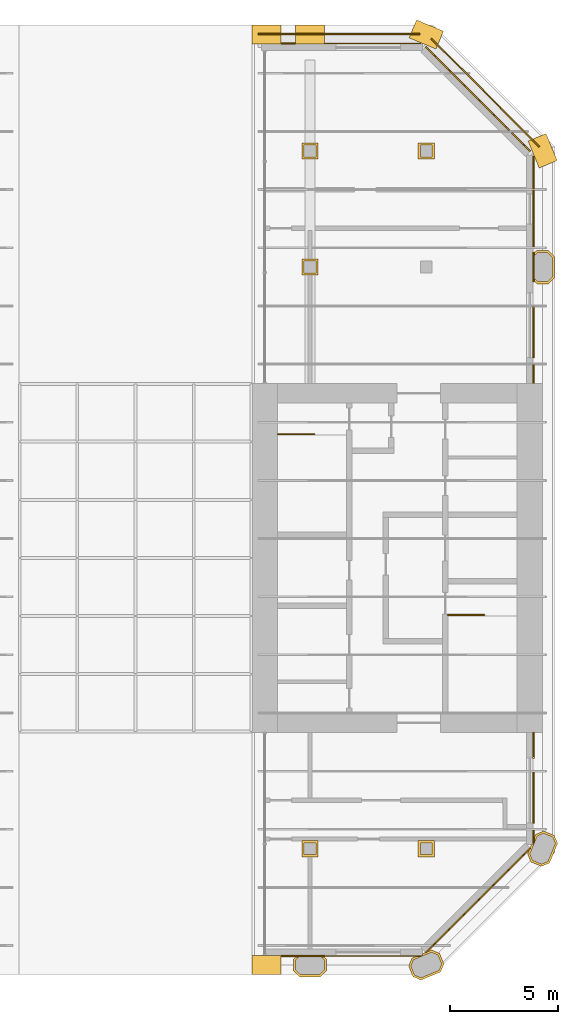
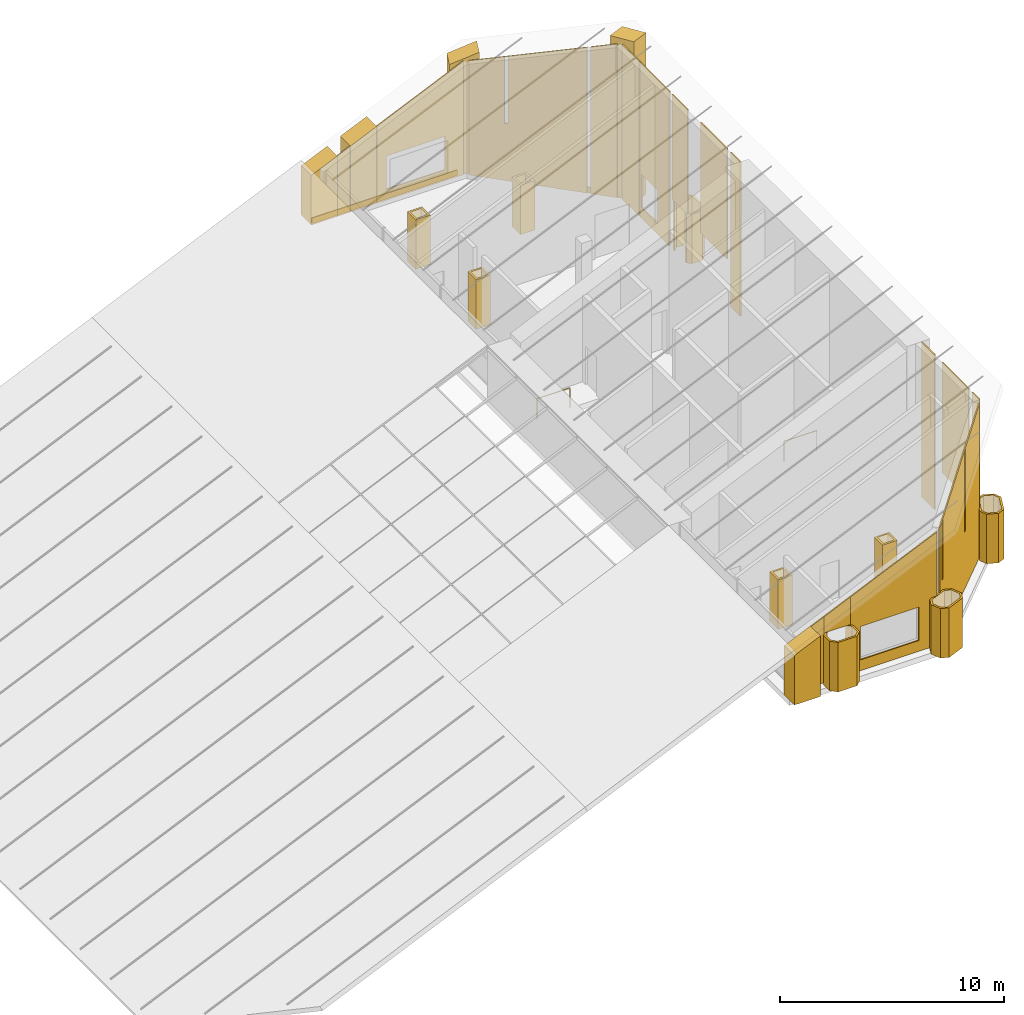
# One storey, part 10 of 10: 32 coverings, 2 railings.
"""IFC4 building model written with IfcOpenShell, lengths in metres."""

from ifc_helpers import new_model, si_unit, direction, frame, frame_2d, origin, origin_2d, place, context, subcontext, project, spatial, polyline, rectangle, circle, outline, extrude, material, layer, layer_set, type_object, element, save


model = new_model("IFC4")

# Units and contexts
model_context = context("Model", 3, precision=1e-05, world=origin(), true_north=direction((0.0, 1.0)))
body_context = subcontext(model_context, "Body", "Model", "MODEL_VIEW")
ifc_project = project(units=[si_unit("LENGTHUNIT", "METRE"), si_unit("AREAUNIT", "SQUARE_METRE"), si_unit("VOLUMEUNIT", "CUBIC_METRE"), si_unit("PLANEANGLEUNIT", "RADIAN"), si_unit("MASSUNIT", "GRAM", prefix="KILO")], contexts=[model_context])

# Site, building, storey
site_placement = place(None, origin())
site = spatial("IfcSite", under=ifc_project, at=site_placement, CompositionType="ELEMENT")
building_placement = place(site_placement, origin())
building = spatial("IfcBuilding", under=site, at=building_placement, Name="Tabaq Tower and Sports Hall", CompositionType="ELEMENT")
storey_placement = place(building_placement, frame((0.0, 0.0, 335.199951171875)))
storey = spatial("IfcBuildingStorey", under=building, at=storey_placement, Name="L83", CompositionType="ELEMENT", Elevation=335.199951171875)

# Coverings
ifc_material_1 = material(Name="Precast concrete C60/75", Category="concrete")
ifc_layer_1 = layer(ifc_material_1, 0.10009765625)
ifc_layer_set_1 = layer_set([ifc_layer_1], Name="Column cladding 100")
covering_type_1 = type_object("IfcCoveringType", Name="Column cladding 100", PredefinedType="CLADDING", material=ifc_layer_set_1)
covering_1_placement = place(storey_placement, origin())
element("IfcCovering", 1, at=covering_1_placement, inside=storey, type_object=covering_type_1, Name="Column cladding L83 PC-7B-CR", PredefinedType="CLADDING", context=body_context, shape_type="SweptSolid", body=[
    extrude(outline(polyline([(31.625244140625, 5.666259765625), (31.80859375, 5.849609375), (31.94921875, 5.849609375), (31.724609375, 5.625244140625), (31.724609375, 5.1748046875), (31.949951171875, 4.94970703125), (32.85009765625, 4.94970703125), (33.0751953125, 5.1748046875), (33.0751953125, 5.625244140625), (32.850830078125, 5.849609375), (32.9912109375, 5.849609375), (33.1748046875, 5.666259765625), (33.1748046875, 5.1337890625), (32.891357421875, 4.850341796875), (31.90869140625, 4.850341796875), (31.625244140625, 5.1337890625), (31.625244140625, 5.666259765625)])), origin(), (0.0, 0.0, 1.0), 2.699951171875),
])
covering_2_placement = place(storey_placement, origin())
element("IfcCovering", 2, at=covering_2_placement, inside=storey, type_object=covering_type_1, Name="Column cladding L83 CC-7C-CR", PredefinedType="CLADDING", context=body_context, shape_type="SweptSolid", body=[
    extrude(outline(polyline([(32.025390625, 11.1748046875), (32.774658203125, 11.1748046875), (32.774658203125, 10.42529296875), (32.025390625, 10.42529296875), (32.025390625, 11.1748046875)]), holes=[polyline([(32.67529296875, 10.524658203125), (32.67529296875, 11.0751953125), (32.124755859375, 11.0751953125), (32.124755859375, 10.524658203125), (32.67529296875, 10.524658203125)])]), origin(), (0.0, 0.0, 1.0), 2.699951171875),
])
covering_3_placement = place(storey_placement, origin())
element("IfcCovering", 3, at=covering_3_placement, inside=storey, type_object=covering_type_1, Name="Column cladding L83 CC-7H-CR", PredefinedType="CLADDING", context=body_context, shape_type="SweptSolid", body=[
    extrude(outline(polyline([(32.025390625, 38.1748046875), (32.774658203125, 38.1748046875), (32.774658203125, 37.42529296875), (32.025390625, 37.42529296875), (32.025390625, 38.1748046875)]), holes=[polyline([(32.67529296875, 37.524658203125), (32.67529296875, 38.0751953125), (32.124755859375, 38.0751953125), (32.124755859375, 37.524658203125), (32.67529296875, 37.524658203125)])]), origin(), (0.0, 0.0, 1.0), 2.699951171875),
])
covering_4_placement = place(storey_placement, origin())
element("IfcCovering", 4, at=covering_4_placement, inside=storey, type_object=covering_type_1, Name="Column cladding L83 CC-7I-CR", PredefinedType="CLADDING", context=body_context, shape_type="SweptSolid", body=[
    extrude(outline(polyline([(32.025390625, 43.57470703125), (32.774658203125, 43.57470703125), (32.774658203125, 42.8251953125), (32.025390625, 42.8251953125), (32.025390625, 43.57470703125)]), holes=[polyline([(32.67529296875, 42.9248046875), (32.67529296875, 43.475341796875), (32.124755859375, 43.475341796875), (32.124755859375, 42.9248046875), (32.67529296875, 42.9248046875)])]), origin(), (0.0, 0.0, 1.0), 2.699951171875),
])
covering_5_placement = place(storey_placement, origin())
element("IfcCovering", 5, at=covering_5_placement, inside=storey, type_object=covering_type_1, Name="Column cladding L83 PC-8B-CR", PredefinedType="CLADDING", context=body_context, shape_type="SweptSolid", body=[
    extrude(outline(polyline([(36.982421875, 5.349609375), (37.1357421875, 5.7197265625), (37.304443359375, 5.789794921875), (37.55712890625, 5.789794921875), (37.55712890625, 5.849609375), (37.614013671875, 5.849609375), (37.614013671875, 5.91796875), (37.767578125, 5.9814453125), (37.799072265625, 5.9501953125), (37.875, 6.026123046875), (38.04345703125, 6.095947265625), (38.413818359375, 5.9423828125), (38.61767578125, 5.450439453125), (38.46435546875, 5.080078125), (37.556396484375, 4.7041015625), (37.186279296875, 4.857421875), (36.982421875, 5.349609375)]), holes=[polyline([(38.510009765625, 5.450439453125), (38.337646484375, 5.866455078125), (38.04345703125, 5.98828125), (37.2119140625, 5.643798828125), (37.08984375, 5.349609375), (37.26220703125, 4.93359375), (37.556396484375, 4.811767578125), (38.38818359375, 5.15625), (38.510009765625, 5.450439453125)])]), origin(), (0.0, 0.0, 1.0), 2.699951171875),
])
covering_6_placement = place(storey_placement, origin())
element("IfcCovering", 6, at=covering_6_placement, inside=storey, type_object=covering_type_1, Name="Column cladding L83 CC-8C-CR", PredefinedType="CLADDING", context=body_context, shape_type="SweptSolid", body=[
    extrude(outline(polyline([(37.42529296875, 11.1748046875), (38.1748046875, 11.1748046875), (38.1748046875, 10.42529296875), (37.42529296875, 10.42529296875), (37.42529296875, 11.1748046875)]), holes=[polyline([(38.0751953125, 10.524658203125), (38.0751953125, 11.0751953125), (37.524658203125, 11.0751953125), (37.524658203125, 10.524658203125), (38.0751953125, 10.524658203125)])]), origin(), (0.0, 0.0, 1.0), 2.699951171875),
])
covering_7_placement = place(storey_placement, origin())
element("IfcCovering", 7, at=covering_7_placement, inside=storey, type_object=covering_type_1, Name="Column cladding L83 CC-8I-CR", PredefinedType="CLADDING", context=body_context, shape_type="SweptSolid", body=[
    extrude(outline(polyline([(37.42529296875, 43.57470703125), (38.1748046875, 43.57470703125), (38.1748046875, 42.8251953125), (37.42529296875, 42.8251953125), (37.42529296875, 43.57470703125)]), holes=[polyline([(38.0751953125, 42.9248046875), (38.0751953125, 43.475341796875), (37.524658203125, 43.475341796875), (37.524658203125, 42.9248046875), (38.0751953125, 42.9248046875)])]), origin(), (0.0, 0.0, 1.0), 2.699951171875),
])
covering_8_placement = place(storey_placement, origin())
element("IfcCovering", 8, at=covering_8_placement, inside=storey, type_object=covering_type_1, Name="Column cladding L83 PC-9C-CR", PredefinedType="CLADDING", context=body_context, shape_type="SweptSolid", body=[
    extrude(outline(polyline([(42.657470703125, 10.186279296875), (42.504150390625, 10.556396484375), (42.573974609375, 10.72509765625), (42.64990234375, 10.801025390625), (42.618408203125, 10.83251953125), (42.68212890625, 10.986083984375), (42.750244140625, 10.986083984375), (42.750244140625, 11.04296875), (42.810302734375, 11.04296875), (42.810302734375, 11.295654296875), (42.880126953125, 11.46435546875), (43.25048828125, 11.61767578125), (43.742431640625, 11.413818359375), (43.895751953125, 11.04345703125), (43.519775390625, 10.1357421875), (43.149658203125, 9.982421875), (42.657470703125, 10.186279296875)]), holes=[polyline([(43.66650390625, 11.337646484375), (43.25048828125, 11.510009765625), (42.956298828125, 11.38818359375), (42.61181640625, 10.556396484375), (42.733642578125, 10.26220703125), (43.149658203125, 10.08984375), (43.44384765625, 10.2119140625), (43.788330078125, 11.04345703125), (43.66650390625, 11.337646484375)])]), origin(), (0.0, 0.0, 1.0), 2.699951171875),
])
covering_9_placement = place(storey_placement, origin())
element("IfcCovering", 9, at=covering_9_placement, inside=storey, type_object=covering_type_1, Name="Column cladding L83 PC-9H-CR", PredefinedType="CLADDING", context=body_context, shape_type="SweptSolid", body=[
    extrude(outline(polyline([(42.93359375, 37.025390625), (42.750244140625, 37.208740234375), (42.750244140625, 37.349365234375), (42.974853515625, 37.124755859375), (43.425048828125, 37.124755859375), (43.650390625, 37.349853515625), (43.650390625, 38.250244140625), (43.425048828125, 38.475341796875), (42.974853515625, 38.475341796875), (42.750244140625, 38.250732421875), (42.750244140625, 38.391357421875), (42.93359375, 38.57470703125), (43.46630859375, 38.57470703125), (43.749755859375, 38.291259765625), (43.749755859375, 37.30859375), (43.46630859375, 37.025390625), (42.93359375, 37.025390625)])), origin(), (0.0, 0.0, 1.0), 2.699951171875),
])
ifc_material_2 = material(Name="Precast concrete C60/75", Category="concrete")
ifc_layer_2 = layer(ifc_material_2, 0.06005859375)
ifc_layer_set_2 = layer_set([ifc_layer_2], Name="Edge beam cladding 60")
covering_type_2 = type_object("IfcCoveringType", Name="Edge beam cladding 60", PredefinedType="CLADDING", material=ifc_layer_set_2)
covering_10_placement = place(storey_placement, frame((37.50146484375, 48.6298828125, -0.300048828125), z_axis=(0.0, 0.0, 1.0), x_axis=(-1.0, 0.0, 0.0)))
element("IfcCovering", 10, at=covering_10_placement, inside=storey, type_object=covering_type_2, Name="Edge beam cladding L83 1", PredefinedType="CLADDING", context=body_context, shape_type="SweptSolid", body=[
    extrude(rectangle(XDim=7.511474609375, YDim=0.06005859375, at=frame_2d((3.755859375, 0.0))), origin(), (0.0, 0.0, 1.0), 0.300048828125),
])
covering_11_placement = place(storey_placement, frame((43.04443359375, 43.39794921875, -0.300048828125), z_axis=(0.0, 0.0, 1.0), x_axis=(-0.707106781187, 0.707106781187, 0.0)))
element("IfcCovering", 11, at=covering_11_placement, inside=storey, type_object=covering_type_2, Name="Edge beam cladding L83 2", PredefinedType="CLADDING", context=body_context, shape_type="SweptSolid", body=[
    extrude(rectangle(XDim=7.08837890625, YDim=0.06005859375, at=frame_2d((3.544189453125, 0.0))), origin(), (0.0, 0.0, 1.0), 0.300048828125),
])
ifc_material_3 = material(Name="White precast concrete C60/75", Category="concrete")
covering_type_3 = type_object("IfcCoveringType", Name="Pier cladding hung 1350x900", PredefinedType="CLADDING", material=ifc_material_3)
covering_12_placement = place(storey_placement, frame((33.074951171875, 48.60009765625, 0.0), z_axis=(0.0, 0.0, 1.0), x_axis=(-1.0, 0.0, 0.0)))
element("IfcCovering", 12, at=covering_12_placement, inside=storey, type_object=covering_type_3, Name="Hung pier cladding 6/9", PredefinedType="CLADDING", context=body_context, shape_type="SweptSolid", body=[
    extrude(outline(polyline([(0.0, 0.0), (1.349853515625, 0.0), (1.35009765625, 3.60009765625), (0.89990234375, 3.800048828125), (0.449951171875, 4.0), (0.0, 4.199951171875), (0.0, 0.0)])), frame((0.0, 0.449951171875, 0.0), z_axis=(0.0, -1.0, 0.0), x_axis=(1.0, 0.0, 0.0)), (0.0, 0.0, 1.0), 0.89990234375),
])
covering_13_placement = place(storey_placement, frame((38.423583984375, 48.341796875, 0.0), z_axis=(0.0, 0.0, 1.0), x_axis=(-0.923893411637, 0.382649923473, 0.0)))
element("IfcCovering", 13, at=covering_13_placement, inside=storey, type_object=covering_type_3, Name="Hung pier cladding 7/9", PredefinedType="CLADDING", context=body_context, shape_type="SweptSolid", body=[
    extrude(outline(polyline([(0.0, 0.0), (1.35009765625, 0.0), (1.35009765625, 6.02294921875), (0.89990234375, 6.207763671875), (0.449951171875, 6.392333984375), (0.0, 6.5771484375), (0.0, 0.0)])), frame((0.0, 0.449951171875, 0.0), z_axis=(0.0, -1.0, 0.0), x_axis=(1.0, 0.0, 0.0)), (0.0, 0.0, 1.0), 0.89990234375),
])
covering_14_placement = place(storey_placement, frame((43.458251953125, 42.576416015625, 0.0), z_axis=(0.0, 0.0, 1.0), x_axis=(-0.382649923473, 0.923893411637, 0.0)))
element("IfcCovering", 14, at=covering_14_placement, inside=storey, type_object=covering_type_3, Name="Hung pier cladding 8/8", PredefinedType="CLADDING", context=body_context, shape_type="SweptSolid", body=[
    extrude(outline(polyline([(0.0, 0.0), (1.35009765625, 0.0), (1.35009765625, 8.585205078125), (0.89990234375, 8.661865234375), (0.449951171875, 8.73828125), (0.0, 8.81494140625), (0.0, 0.0)])), frame((0.0, 0.449951171875, 0.0), z_axis=(0.0, -1.0, 0.0), x_axis=(1.0, 0.0, 0.0)), (0.0, 0.0, 1.0), 0.89990234375),
])
for number, where, z_axis, x_axis, name in (
    (15, (29.699951171875, 5.39990234375, 0.0), (0.0, 0.0, 1.0), (1.0, 0.0, 0.0), "Riser corner cladding S"),
    (16, (29.699951171875, 48.60009765625, 0.0), (0.0, 0.0, 1.0), (1.0, 0.0, 0.0), "Riser corner cladding N"),
):
    element("IfcCovering", number, at=place(storey_placement, frame(where, z_axis=z_axis, x_axis=x_axis)), inside=storey, type_object=covering_type_3, Name=name, PredefinedType="CLADDING", context=body_context, shape_type="SweptSolid", body=[
        extrude(outline(polyline([(0.0, 0.0), (1.35009765625, 0.0), (1.35009765625, 3.300048828125), (0.89990234375, 3.10009765625), (0.449951171875, 2.900146484375), (0.0, 2.699951171875), (0.0, 0.0)])), frame((0.0, 0.449951171875, 0.0), z_axis=(0.0, -1.0, 0.0), x_axis=(1.0, 0.0, 0.0)), (0.0, 0.0, 1.0), 0.89990234375),
    ])

# Railings
ifc_material_4 = material(Name="Stainless steel", Category="steel")
railing_type = type_object("IfcRailingType", Name="Stair guard", PredefinedType="GUARDRAIL", material=ifc_material_4)
railing_1_placement = place(storey_placement, frame((38.800048828125, 21.64990234375, 0.0)))
element("IfcRailing", 17, at=railing_1_placement, inside=storey, type_object=railing_type, Name="L83 ST3 top well guard 1", PredefinedType="GUARDRAIL", context=body_context, shape_type="SweptSolid", body=[
    extrude(circle(Radius=0.02392578125, at=origin_2d()), frame((0.0, 0.0, 1.076171875), z_axis=(1.0, 0.0, 0.0), x_axis=(0.0, 1.0, 0.0)), (0.0, 0.0, 1.0), 1.699951171875),
    extrude(circle(Radius=0.02099609375, at=origin_2d()), origin(), (0.0, 0.0, 1.0), 1.052001953125),
    extrude(circle(Radius=0.02099609375, at=origin_2d()), frame((1.699951171875, 0.0, 0.0)), (0.0, 0.0, 1.0), 1.052001953125),
])
railing_2_placement = place(storey_placement, frame((30.89990234375, 30.050048828125, 0.0)))
element("IfcRailing", 18, at=railing_2_placement, inside=storey, type_object=railing_type, Name="L83 ST4 top well guard 1", PredefinedType="GUARDRAIL", context=body_context, shape_type="SweptSolid", body=[
    extrude(circle(Radius=0.02392578125, at=origin_2d()), frame((0.0, 0.0, 1.076171875), z_axis=(1.0, 0.0, 0.0), x_axis=(0.0, 1.0, 0.0)), (0.0, 0.0, 1.0), 1.7001953125),
    extrude(circle(Radius=0.02099609375, at=origin_2d()), origin(), (0.0, 0.0, 1.0), 1.052001953125),
    extrude(circle(Radius=0.02099609375, at=origin_2d()), frame((1.7001953125, 0.0, 0.0)), (0.0, 0.0, 1.0), 1.052001953125),
])

# Coverings
ifc_material_5 = material(Name="Precast concrete C60/75", Category="concrete")
ifc_layer_3 = layer(ifc_material_5, 0.06005859375)
ifc_layer_set_3 = layer_set([ifc_layer_3], Name="White precast cladding panel 60 C60/75")
covering_type_4 = type_object("IfcCoveringType", Name="White precast cladding panel 60 C60/75", PredefinedType="CLADDING", material=ifc_layer_set_3)
covering_15_placement = place(storey_placement, frame((31.06005859375, 5.820068359375, 0.0), z_axis=(0.0, 0.0, 1.0), x_axis=(1.0, 0.0, 0.0)))
element("IfcCovering", 19, at=covering_15_placement, inside=storey, type_object=covering_type_4, Name="White precast cladding panel L83 wall00", PredefinedType="CLADDING", context=body_context, shape_type="SweptSolid", body=[
    extrude(outline(polyline([(0.0, 0.0), (0.655029296875, 0.0), (0.655029296875, 3.595703125), (0.365234375, 3.466796875), (0.0, 3.304443359375), (0.0, 0.0)])), frame((0.0, 0.030029296875, 0.0), z_axis=(0.0, -1.0, 0.0), x_axis=(1.0, 0.0, 0.0)), (0.0, 0.0, 1.0), 0.06005859375),
])
covering_16_placement = place(storey_placement, frame((31.715087890625, 5.820068359375, 2.7099609375), z_axis=(0.0, 0.0, 1.0), x_axis=(1.0, 0.0, 0.0)))
element("IfcCovering", 20, at=covering_16_placement, inside=storey, type_object=covering_type_4, Name="White precast cladding panel L83 wall00 2", PredefinedType="CLADDING", context=body_context, shape_type="SweptSolid", body=[
    extrude(outline(polyline([(0.0, 0.0), (1.369873046875, 0.0), (1.3701171875, 1.49462890625), (0.83544921875, 1.2568359375), (0.272705078125, 1.0068359375), (0.0, 0.8857421875), (0.0, 0.0)])), frame((0.0, 0.030029296875, 0.0), z_axis=(0.0, -1.0, 0.0), x_axis=(1.0, 0.0, 0.0)), (0.0, 0.0, 1.0), 0.06005859375),
])
covering_17_placement = place(storey_placement, frame((33.0849609375, 5.820068359375, 0.0), z_axis=(0.0, 0.0, 1.0), x_axis=(1.0, 0.0, 0.0)))
element("IfcCovering", 21, at=covering_17_placement, inside=storey, type_object=covering_type_4, Name="White precast cladding panel L83 wall00 3", PredefinedType="CLADDING", context=body_context, shape_type="SweptSolid", body=[
    extrude(outline(polyline([(0.0, 0.0), (4.471923828125, 0.0), (4.471923828125, 6.19189453125), (3.966064453125, 5.96728515625), (3.4033203125, 5.717041015625), (2.8408203125, 5.467041015625), (2.2783203125, 5.217041015625), (1.715576171875, 4.967041015625), (1.153076171875, 4.717041015625), (0.590576171875, 4.467041015625), (0.02783203125, 4.216796875), (0.0, 4.20458984375), (0.0, 0.0)]), holes=[polyline([(0.5048828125, 0.590087890625), (0.5048828125, 2.41015625), (3.52490234375, 2.41015625), (3.52490234375, 0.590087890625), (0.5048828125, 0.590087890625)])]), frame((0.0, 0.030029296875, 0.0), z_axis=(0.0, -1.0, 0.0), x_axis=(1.0, 0.0, 0.0)), (0.0, 0.0, 1.0), 0.06005859375),
])
covering_18_placement = place(storey_placement, frame((37.77783203125, 5.9716796875, 0.0), z_axis=(0.0, 0.0, 1.0), x_axis=(0.707088985397, 0.707124576528, 0.0)))
element("IfcCovering", 22, at=covering_18_placement, inside=storey, type_object=covering_type_4, Name="White precast cladding panel L83 wall01", PredefinedType="CLADDING", context=body_context, shape_type="SweptSolid", body=[
    extrude(outline(polyline([(0.0, 0.0), (6.859619140625, 0.0), (6.859619140625, 8.389404296875), (6.2880859375, 8.209716796875), (5.71630859375, 8.030029296875), (5.144775390625, 7.850341796875), (4.5732421875, 7.6708984375), (4.00146484375, 7.4912109375), (3.429931640625, 7.3115234375), (2.858154296875, 7.1318359375), (2.28662109375, 6.9521484375), (1.71484375, 6.7724609375), (1.143310546875, 6.5927734375), (0.571533203125, 6.413330078125), (0.0, 6.233642578125), (0.0, 0.0)]), holes=[polyline([(0.38232421875, 3.123779296875), (0.38232421875, 6.322265625), (0.546142578125, 6.373779296875), (0.546142578125, 3.123779296875), (0.38232421875, 3.123779296875)]), polyline([(4.20068359375, 3.123779296875), (4.20068359375, 7.5224609375), (4.364501953125, 7.57373046875), (4.364501953125, 3.123779296875), (4.20068359375, 3.123779296875)])]), frame((0.0, 0.030029296875, 0.0), z_axis=(0.0, -1.0, 0.0), x_axis=(1.0, 0.0, 0.0)), (0.0, 0.0, 1.0), 0.06005859375),
])
covering_19_placement = place(storey_placement, frame((42.780029296875, 11.043212890625, 0.0), z_axis=(0.0, 0.0, 1.0), x_axis=(0.0, 1.0, 0.0)))
element("IfcCovering", 23, at=covering_19_placement, inside=storey, type_object=covering_type_4, Name="White precast cladding panel L83 wall02", PredefinedType="CLADDING", context=body_context, shape_type="SweptSolid", body=[
    extrude(outline(polyline([(0.0, 0.0), (0.61669921875, 0.0), (0.616943359375, 8.433349609375), (0.5224609375, 8.433349609375), (0.0, 8.433349609375), (0.0, 0.0)])), frame((0.0, 0.030029296875, 0.0), z_axis=(0.0, -1.0, 0.0), x_axis=(1.0, 0.0, 0.0)), (0.0, 0.0, 1.0), 0.06005859375),
])
covering_20_placement = place(storey_placement, frame((42.780029296875, 11.989990234375, 2.41015625), z_axis=(0.0, 0.0, 1.0), x_axis=(0.0, 1.0, 0.0)))
element("IfcCovering", 24, at=covering_20_placement, inside=storey, type_object=covering_type_4, Name="White precast cladding panel L83 wall02 2", PredefinedType="CLADDING", context=body_context, shape_type="SweptSolid", body=[
    extrude(outline(polyline([(0.0, 0.0), (2.3701171875, 0.0), (2.3701171875, 6.023193359375), (1.892822265625, 6.023193359375), (1.3134765625, 6.023193359375), (0.734375, 6.023193359375), (0.155029296875, 6.023193359375), (0.0, 6.023193359375), (0.0, 0.0)])), frame((0.0, 0.030029296875, 0.0), z_axis=(0.0, -1.0, 0.0), x_axis=(1.0, 0.0, 0.0)), (0.0, 0.0, 1.0), 0.06005859375),
])
covering_21_placement = place(storey_placement, frame((42.780029296875, 15.010009765625, 0.0), z_axis=(0.0, 0.0, 1.0), x_axis=(0.0, 1.0, 0.0)))
element("IfcCovering", 25, at=covering_21_placement, inside=storey, type_object=covering_type_4, Name="White precast cladding panel L83 wall02 3", PredefinedType="CLADDING", context=body_context, shape_type="SweptSolid", body=[
    extrude(outline(polyline([(0.0, 0.0), (1.18994140625, 0.0), (1.18994140625, 8.433349609375), (0.610595703125, 8.433349609375), (0.031494140625, 8.433349609375), (0.0, 8.433349609375), (0.0, 0.0)])), frame((0.0, 0.030029296875, 0.0), z_axis=(0.0, -1.0, 0.0), x_axis=(1.0, 0.0, 0.0)), (0.0, 0.0, 1.0), 0.06005859375),
])
covering_22_placement = place(storey_placement, frame((42.780029296875, 32.39990234375, 0.0), z_axis=(0.0, 0.0, 1.0), x_axis=(0.0, 1.0, 0.0)))
element("IfcCovering", 26, at=covering_22_placement, inside=storey, type_object=covering_type_4, Name="White precast cladding panel L83 wall02-1", PredefinedType="CLADDING", context=body_context, shape_type="SweptSolid", body=[
    extrude(outline(polyline([(0.0, 0.0), (0.860107421875, 0.0), (0.860107421875, 8.433349609375), (0.589599609375, 8.433349609375), (0.0, 8.433349609375), (0.0, 0.0)])), frame((0.0, 0.030029296875, 0.0), z_axis=(0.0, -1.0, 0.0), x_axis=(1.0, 0.0, 0.0)), (0.0, 0.0, 1.0), 0.06005859375),
])
covering_23_placement = place(storey_placement, frame((42.780029296875, 33.590087890625, 2.41015625), z_axis=(0.0, 0.0, 1.0), x_axis=(0.0, 1.0, 0.0)))
element("IfcCovering", 27, at=covering_23_placement, inside=storey, type_object=covering_type_4, Name="White precast cladding panel L83 wall02-1 2", PredefinedType="CLADDING", context=body_context, shape_type="SweptSolid", body=[
    extrude(outline(polyline([(0.0, 0.0), (2.369873046875, 0.0), (2.3701171875, 6.023193359375), (2.347900390625, 6.023193359375), (1.75830078125, 6.023193359375), (1.16845703125, 6.023193359375), (0.578857421875, 6.023193359375), (0.0, 6.023193359375), (0.0, 0.0)])), frame((0.0, 0.030029296875, 0.0), z_axis=(0.0, -1.0, 0.0), x_axis=(1.0, 0.0, 0.0)), (0.0, 0.0, 1.0), 0.06005859375),
])
covering_24_placement = place(storey_placement, frame((42.780029296875, 37.114990234375, 2.7099609375), z_axis=(0.0, 0.0, 1.0), x_axis=(0.0, 1.0, 0.0)))
element("IfcCovering", 28, at=covering_24_placement, inside=storey, type_object=covering_type_4, Name="White precast cladding panel L83 wall02-1 3", PredefinedType="CLADDING", context=body_context, shape_type="SweptSolid", body=[
    extrude(outline(polyline([(0.0, 0.0), (1.3701171875, 0.0), (1.3701171875, 5.723388671875), (1.181396484375, 5.723388671875), (0.591796875, 5.723388671875), (0.002197265625, 5.723388671875), (0.0, 5.723388671875), (0.0, 0.0)])), frame((0.0, 0.030029296875, 0.0), z_axis=(0.0, -1.0, 0.0), x_axis=(1.0, 0.0, 0.0)), (0.0, 0.0, 1.0), 0.06005859375),
])
covering_25_placement = place(storey_placement, frame((42.780029296875, 38.739990234375, 0.0), z_axis=(0.0, 0.0, 1.0), x_axis=(0.0, 1.0, 0.0)))
element("IfcCovering", 29, at=covering_25_placement, inside=storey, type_object=covering_type_4, Name="White precast cladding panel L83 wall02-1 4", PredefinedType="CLADDING", context=body_context, shape_type="SweptSolid", body=[
    extrude(outline(polyline([(0.0, 0.0), (2.6201171875, 0.0), (2.6201171875, 8.433349609375), (2.504638671875, 8.433349609375), (1.9150390625, 8.433349609375), (1.325439453125, 8.433349609375), (0.73583984375, 8.433349609375), (0.14599609375, 8.433349609375), (0.0, 8.433349609375), (0.0, 0.0)]), holes=[polyline([(1.04638671875, 0.590087890625), (1.04638671875, 2.41015625), (2.46630859375, 2.41015625), (2.46630859375, 0.590087890625), (1.04638671875, 0.590087890625)])]), frame((0.0, 0.030029296875, 0.0), z_axis=(0.0, -1.0, 0.0), x_axis=(1.0, 0.0, 0.0)), (0.0, 0.0, 1.0), 0.06005859375),
])
covering_26_placement = place(storey_placement, frame((42.780029296875, 41.43994140625, 0.0), z_axis=(0.0, 0.0, 1.0), x_axis=(0.0, 1.0, 0.0)))
element("IfcCovering", 30, at=covering_26_placement, inside=storey, type_object=covering_type_4, Name="White precast cladding panel L83 wall02-1 5", PredefinedType="CLADDING", context=body_context, shape_type="SweptSolid", body=[
    extrude(outline(polyline([(0.0, 0.0), (1.516845703125, 0.0), (1.516845703125, 8.433349609375), (0.98388671875, 8.433349609375), (0.394287109375, 8.433349609375), (0.0, 8.433349609375), (0.0, 0.0)])), frame((0.0, 0.030029296875, 0.0), z_axis=(0.0, -1.0, 0.0), x_axis=(1.0, 0.0, 0.0)), (0.0, 0.0, 1.0), 0.06005859375),
])
covering_27_placement = place(storey_placement, frame((42.628173828125, 43.177734375, 0.0), z_axis=(0.0, 0.0, 1.0), x_axis=(-0.707106781187, 0.707106781187, 0.0)))
element("IfcCovering", 31, at=covering_27_placement, inside=storey, type_object=covering_type_4, Name="White precast cladding panel L83 wall03", PredefinedType="CLADDING", context=body_context, shape_type="SweptSolid", body=[
    extrude(outline(polyline([(0.0, 0.0), (1.22216796875, 0.0), (1.222412109375, 8.005126953125), (1.143310546875, 8.030029296875), (0.571533203125, 8.209716796875), (0.0, 8.389404296875), (0.0, 0.0)])), frame((0.0, 0.030029296875, 0.0), z_axis=(0.0, -1.0, 0.0), x_axis=(1.0, 0.0, 0.0)), (0.0, 0.0, 1.0), 0.06005859375),
])
covering_28_placement = place(storey_placement, frame((41.648193359375, 44.157958984375, 0.0), z_axis=(0.0, 0.0, 1.0), x_axis=(-0.707106781187, 0.707106781187, 0.0)))
element("IfcCovering", 32, at=covering_28_placement, inside=storey, type_object=covering_type_4, Name="White precast cladding panel L83 wall03 2", PredefinedType="CLADDING", context=body_context, shape_type="SweptSolid", body=[
    extrude(outline(polyline([(0.0, 0.0), (5.4736328125, 0.0), (5.473388671875, 6.233642578125), (4.90185546875, 6.413330078125), (4.330322265625, 6.5927734375), (3.758544921875, 6.7724609375), (3.18701171875, 6.9521484375), (2.615234375, 7.1318359375), (2.043701171875, 7.3115234375), (1.471923828125, 7.4912109375), (0.900390625, 7.6708984375), (0.32861328125, 7.850341796875), (0.0, 7.953857421875), (0.0, 0.0)]), holes=[polyline([(3.818359375, 3.123779296875), (3.654541015625, 3.123779296875), (3.654541015625, 6.773681640625), (3.74951171875, 6.743896484375), (3.818359375, 6.722412109375), (3.818359375, 3.123779296875)])]), frame((0.0, 0.030029296875, 0.0), z_axis=(0.0, -1.0, 0.0), x_axis=(1.0, 0.0, 0.0)), (0.0, 0.0, 1.0), 0.06005859375),
])
covering_29_placement = place(storey_placement, frame((37.556884765625, 48.179931640625, 0.0), z_axis=(0.0, 0.0, 1.0), x_axis=(-1.0, 0.0, 0.0)))
element("IfcCovering", 33, at=covering_29_placement, inside=storey, type_object=covering_type_4, Name="White precast cladding panel L83 wall04", PredefinedType="CLADDING", context=body_context, shape_type="SweptSolid", body=[
    extrude(outline(polyline([(0.0, 0.0), (4.471923828125, 0.0), (4.471923828125, 4.20458984375), (3.962158203125, 4.43115234375), (3.387939453125, 4.686279296875), (2.81396484375, 4.94140625), (2.23974609375, 5.196533203125), (1.66552734375, 5.45166015625), (1.091552734375, 5.706787109375), (0.517333984375, 5.962158203125), (0.0, 6.19189453125), (0.0, 0.0)]), holes=[polyline([(0.94677734375, 0.590087890625), (0.94677734375, 2.41015625), (3.966796875, 2.41015625), (3.966796875, 0.590087890625), (0.94677734375, 0.590087890625)])]), frame((0.0, 0.030029296875, 0.0), z_axis=(0.0, -1.0, 0.0), x_axis=(1.0, 0.0, 0.0)), (0.0, 0.0, 1.0), 0.06005859375),
])
covering_30_placement = place(storey_placement, frame((31.715087890625, 48.179931640625, 0.0), z_axis=(0.0, 0.0, 1.0), x_axis=(-1.0, 0.0, 0.0)))
element("IfcCovering", 34, at=covering_30_placement, inside=storey, type_object=covering_type_4, Name="White precast cladding panel L83 wall04 2", PredefinedType="CLADDING", context=body_context, shape_type="SweptSolid", body=[
    extrude(outline(polyline([(0.0, 0.0), (0.655029296875, 0.0), (0.655029296875, 3.304443359375), (0.416748046875, 3.410400390625), (0.0, 3.595703125), (0.0, 0.0)])), frame((0.0, 0.030029296875, 0.0), z_axis=(0.0, -1.0, 0.0), x_axis=(1.0, 0.0, 0.0)), (0.0, 0.0, 1.0), 0.06005859375),
])

save(model, "model.ifc")
